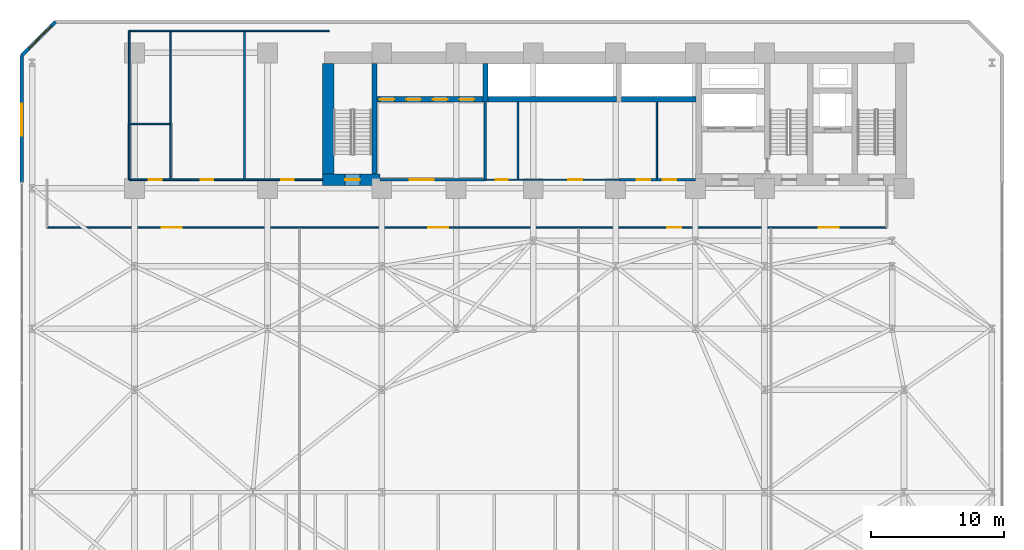
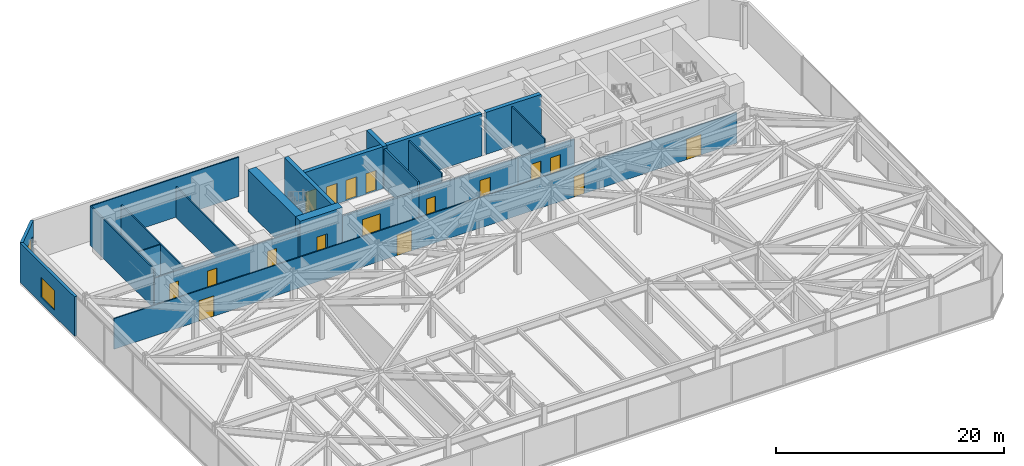
# One storey, part 25 of 28: 22 walls, 17 doors, 2 windows, 19 openings.
"""IFC4 building model written with IfcOpenShell, lengths in metres."""

from ifc_helpers import new_model, si_unit, direction, frame, frame_2d, origin, place, context, subcontext, project, spatial, rectangle, extrude, material, layer, layer_set, type_object, element, fill, save


model = new_model("IFC4")

# Units and contexts
model_context = context("Model", 3, precision=1e-05, world=origin(), true_north=direction((0.0, 1.0)))
body_context = subcontext(model_context, "Body", "Model", "MODEL_VIEW")
ifc_project = project(units=[si_unit("LENGTHUNIT", "METRE"), si_unit("AREAUNIT", "SQUARE_METRE"), si_unit("VOLUMEUNIT", "CUBIC_METRE"), si_unit("PLANEANGLEUNIT", "RADIAN"), si_unit("MASSUNIT", "GRAM", prefix="KILO")], contexts=[model_context])

# Site, building, storey
site_placement = place(None, origin())
site = spatial("IfcSite", under=ifc_project, at=site_placement, CompositionType="ELEMENT")
building_placement = place(site_placement, origin())
building = spatial("IfcBuilding", under=site, at=building_placement, Name="Kravanh Interchange Tower", CompositionType="ELEMENT")
storey_placement = place(building_placement, frame((0.0, 0.0, 15.300048828125)))
storey = spatial("IfcBuildingStorey", under=building, at=storey_placement, Name="L03", CompositionType="ELEMENT", Elevation=15.300048828125)

# Walls
ifc_material_1 = material(Name="Double Acoustic Gypsum Board and Mineral Wool")
ifc_layer_1 = layer(ifc_material_1, 0.1201171875)
ifc_layer_set_1 = layer_set([ifc_layer_1], Name="Acoustic Office Drywall Partition 120mm")
wall_type_1 = type_object("IfcWallType", Name="Acoustic Office Drywall Partition 120mm", PredefinedType="PARTITIONING", material=ifc_layer_set_1)
for number, where, z_axis, x_axis, name in (
    (1, (47.89990234375, 38.068115234375, 0.0), (0.0, 0.0, 1.0), (0.0, 1.0, 0.0), "L03 Interior Partition 2"),
    (2, (37.449951171875, 38.068115234375, 0.0), (0.0, 0.0, 1.0), (0.0, 1.0, 0.0), "L03 Interior Partition 6"),
):
    element("IfcWall", number, at=place(storey_placement, frame(where, z_axis=z_axis, x_axis=x_axis)), inside=storey, type_object=wall_type_1, Name=name, PredefinedType="PARTITIONING", context=body_context, shape_type="SweptSolid", body=[
        extrude(rectangle(XDim=5.77392578125, YDim=0.1201171875, at=frame_2d((2.886962890625, 0.0))), origin(), (0.0, 0.0, 1.0), 4.22998046875),
    ])

# Wall, openings, doors
wall_1_placement = place(storey_placement, frame((2.0, 34.39990234375, 0.0), z_axis=(0.0, 0.0, 1.0), x_axis=(1.0, 0.0, 0.0)))
wall_1 = element("IfcWall", 3, at=wall_1_placement, inside=storey, type_object=wall_type_1, Name="L03 Interior Partition 7", PredefinedType="PARTITIONING", context=body_context, shape_type="SweptSolid", body=[
    extrude(rectangle(XDim=63.199951171875, YDim=0.1201171875, at=frame_2d((31.60009765625, 0.0))), origin(), (0.0, 0.0, 1.0), 3.281982421875),
])
opening_1_placement = place(wall_1_placement, frame((8.634765625, 0.0, 0.0)))
opening_1 = element("IfcOpeningElement", 4, at=opening_1_placement, cuts=wall_1, Name="Opening DBL-150", PredefinedType="OPENING", context=body_context, shape_type="SweptSolid", body=[
    extrude(rectangle(XDim=1.5, YDim=2.199951171875, at=frame_2d((0.75, 1.10009765625))), frame((0.0, 0.070068359375, 0.0), z_axis=(0.0, -1.0, 0.0), x_axis=(1.0, 0.0, 0.0)), (0.0, 0.0, 1.0), 0.14013671875),
])
opening_2_placement = place(wall_1_placement, frame((28.7099609375, 0.0, 0.0)))
opening_2 = element("IfcOpeningElement", 5, at=opening_2_placement, cuts=wall_1, Name="Opening DBL-150", PredefinedType="OPENING", context=body_context, shape_type="SweptSolid", body=[
    extrude(rectangle(XDim=1.5, YDim=2.199951171875, at=frame_2d((0.75, 1.10009765625))), frame((0.0, 0.070068359375, 0.0), z_axis=(0.0, -1.0, 0.0), x_axis=(1.0, 0.0, 0.0)), (0.0, 0.0, 1.0), 0.14013671875),
])
opening_3_placement = place(wall_1_placement, frame((46.684814453125, 0.0, 0.0)))
opening_3 = element("IfcOpeningElement", 6, at=opening_3_placement, cuts=wall_1, Name="Opening D-105", PredefinedType="OPENING", context=body_context, shape_type="SweptSolid", body=[
    extrude(rectangle(XDim=1.050048828125, YDim=2.199951171875, at=frame_2d((0.52490234375, 1.10009765625))), frame((0.0, 0.070068359375, 0.0), z_axis=(0.0, -1.0, 0.0), x_axis=(1.0, 0.0, 0.0)), (0.0, 0.0, 1.0), 0.14013671875),
])
opening_4_placement = place(wall_1_placement, frame((58.084716796875, 0.0, 0.0)))
opening_4 = element("IfcOpeningElement", 7, at=opening_4_placement, cuts=wall_1, Name="Opening DBL-150", PredefinedType="OPENING", context=body_context, shape_type="SweptSolid", body=[
    extrude(rectangle(XDim=1.5, YDim=2.199951171875, at=frame_2d((0.75, 1.10009765625))), frame((0.0, 0.070068359375, 0.0), z_axis=(0.0, -1.0, 0.0), x_axis=(1.0, 0.0, 0.0)), (0.0, 0.0, 1.0), 0.14013671875),
])
ifc_material_2 = material(Name="Acoustic Timber and Toughened Glass", Category="wood")
door_type_1 = type_object("IfcDoorType", Name="Conference Hall Double Door 1500x2200", OperationType="DOUBLE_DOOR_SINGLE_SWING", PredefinedType="DOOR", material=ifc_material_2)
door_1_placement = place(opening_1_placement, origin())
door_1 = element("IfcDoor", 8, at=door_1_placement, inside=storey, type_object=door_type_1, Name="L03 Urban Exhibition Hall Door", OperationType="DOUBLE_DOOR_SINGLE_SWING", OverallHeight=2.199951171875, OverallWidth=1.5, PredefinedType="DOOR", context=body_context, shape_type="SweptSolid", body=[
    extrude(rectangle(XDim=1.5, YDim=2.199951171875, at=frame_2d((0.75, 1.10009765625))), frame((0.0, 0.02490234375, 0.0), z_axis=(0.0, -1.0, 0.0), x_axis=(1.0, 0.0, 0.0)), (0.0, 0.0, 1.0), 0.050048828125),
])
fill(opening_1, door_1)
door_2_placement = place(opening_2_placement, origin())
door_2 = element("IfcDoor", 9, at=door_2_placement, inside=storey, type_object=door_type_1, Name="L03 Co-Working Innovation Studio Door", OperationType="DOUBLE_DOOR_SINGLE_SWING", OverallHeight=2.199951171875, OverallWidth=1.5, PredefinedType="DOOR", context=body_context, shape_type="SweptSolid", body=[
    extrude(rectangle(XDim=1.5, YDim=2.199951171875, at=frame_2d((0.75, 1.10009765625))), frame((0.0, 0.02490234375, 0.0), z_axis=(0.0, -1.0, 0.0), x_axis=(1.0, 0.0, 0.0)), (0.0, 0.0, 1.0), 0.050048828125),
])
fill(opening_2, door_2)
door_3_placement = place(opening_4_placement, origin())
door_3 = element("IfcDoor", 10, at=door_3_placement, inside=storey, type_object=door_type_1, Name="L03 Design Fabrication Lab Door", OperationType="DOUBLE_DOOR_SINGLE_SWING", OverallHeight=2.199951171875, OverallWidth=1.5, PredefinedType="DOOR", context=body_context, shape_type="SweptSolid", body=[
    extrude(rectangle(XDim=1.5, YDim=2.199951171875, at=frame_2d((0.75, 1.10009765625))), frame((0.0, 0.02490234375, 0.0), z_axis=(0.0, -1.0, 0.0), x_axis=(1.0, 0.0, 0.0)), (0.0, 0.0, 1.0), 0.050048828125),
])
fill(opening_4, door_3)
ifc_material_3 = material(Name="Acoustic Glazed Oak and Aluminium", Category="aluminium")
door_type_2 = type_object("IfcDoorType", Name="Office Workplace Door 1050x2200", OperationType="NOTDEFINED", PredefinedType="DOOR", material=ifc_material_3)
door_4_placement = place(opening_3_placement, origin())
door_4 = element("IfcDoor", 11, at=door_4_placement, inside=storey, type_object=door_type_2, Name="L03 Civic Design Retail Gallery Door", OperationType="SINGLE_SWING_RIGHT", OverallHeight=2.199951171875, OverallWidth=1.050048828125, PredefinedType="DOOR", context=body_context, shape_type="SweptSolid", body=[
    extrude(rectangle(XDim=1.050048828125, YDim=2.199951171875, at=frame_2d((0.52490234375, 1.10009765625))), frame((0.0, 0.02490234375, 0.0), z_axis=(0.0, -1.0, 0.0), x_axis=(1.0, 0.0, 0.0)), (0.0, 0.0, 1.0), 0.050048828125),
])
fill(opening_3, door_4)

wall_2_placement = place(storey_placement, frame((8.199951171875, 38.0, 0.0), z_axis=(0.0, 0.0, 1.0), x_axis=(1.0, 0.0, 0.0)))
wall_2 = element("IfcWall", 12, at=wall_2_placement, inside=storey, type_object=wall_type_1, Name="L03 Restroom Corridor Wall 10", PredefinedType="PARTITIONING", context=body_context, shape_type="SweptSolid", body=[
    extrude(rectangle(XDim=14.550048828125, YDim=0.1201171875, at=frame_2d((7.27490234375, 0.0))), origin(), (0.0, 0.0, 1.0), 3.281982421875),
])
opening_5_placement = place(wall_2_placement, frame((1.481689453125, 0.0, 0.0)))
opening_5 = element("IfcOpeningElement", 13, at=opening_5_placement, cuts=wall_2, Name="Opening D-95", PredefinedType="OPENING", context=body_context, shape_type="SweptSolid", body=[
    extrude(rectangle(XDim=0.949951171875, YDim=2.14990234375, at=frame_2d((0.47509765625, 1.074951171875))), frame((0.0, 0.070068359375, 0.0), z_axis=(0.0, -1.0, 0.0), x_axis=(1.0, 0.0, 0.0)), (0.0, 0.0, 1.0), 0.14013671875),
])
opening_6_placement = place(wall_2_placement, frame((5.369873046875, 0.0, 0.0)))
opening_6 = element("IfcOpeningElement", 14, at=opening_6_placement, cuts=wall_2, Name="Opening D-95", PredefinedType="OPENING", context=body_context, shape_type="SweptSolid", body=[
    extrude(rectangle(XDim=0.949951171875, YDim=2.14990234375, at=frame_2d((0.47509765625, 1.074951171875))), frame((0.0, 0.070068359375, 0.0), z_axis=(0.0, -1.0, 0.0), x_axis=(1.0, 0.0, 0.0)), (0.0, 0.0, 1.0), 0.14013671875),
])
opening_7_placement = place(wall_2_placement, frame((11.436767578125, 0.0, 0.0)))
opening_7 = element("IfcOpeningElement", 15, at=opening_7_placement, cuts=wall_2, Name="Opening D-95", PredefinedType="OPENING", context=body_context, shape_type="SweptSolid", body=[
    extrude(rectangle(XDim=0.949951171875, YDim=2.14990234375, at=frame_2d((0.47509765625, 1.074951171875))), frame((0.0, 0.070068359375, 0.0), z_axis=(0.0, -1.0, 0.0), x_axis=(1.0, 0.0, 0.0)), (0.0, 0.0, 1.0), 0.14013671875),
])
ifc_material_4 = material(Name="Laminate Solid-Core Timber", Category="wood")
door_type_3 = type_object("IfcDoorType", Name="Accessible Restroom Door 950x2150", OperationType="NOTDEFINED", PredefinedType="DOOR", material=ifc_material_4)
door_5_placement = place(opening_5_placement, origin())
door_5 = element("IfcDoor", 16, at=door_5_placement, inside=storey, type_object=door_type_3, Name="L03 Accessible WC Door", OperationType="SINGLE_SWING_LEFT", OverallHeight=2.14990234375, OverallWidth=0.949951171875, PredefinedType="DOOR", context=body_context, shape_type="SweptSolid", body=[
    extrude(rectangle(XDim=0.949951171875, YDim=2.14990234375, at=frame_2d((0.47509765625, 1.074951171875))), frame((0.0, 0.02490234375, 0.0), z_axis=(0.0, -1.0, 0.0), x_axis=(1.0, 0.0, 0.0)), (0.0, 0.0, 1.0), 0.050048828125),
])
fill(opening_5, door_5)
door_6_placement = place(opening_6_placement, origin())
door_6 = element("IfcDoor", 17, at=door_6_placement, inside=storey, type_object=door_type_3, Name="L03 Female WC Door", OperationType="SINGLE_SWING_RIGHT", OverallHeight=2.14990234375, OverallWidth=0.949951171875, PredefinedType="DOOR", context=body_context, shape_type="SweptSolid", body=[
    extrude(rectangle(XDim=0.949951171875, YDim=2.14990234375, at=frame_2d((0.47509765625, 1.074951171875))), frame((0.0, 0.02490234375, 0.0), z_axis=(0.0, -1.0, 0.0), x_axis=(1.0, 0.0, 0.0)), (0.0, 0.0, 1.0), 0.050048828125),
])
fill(opening_6, door_6)
door_7_placement = place(opening_7_placement, origin())
door_7 = element("IfcDoor", 18, at=door_7_placement, inside=storey, type_object=door_type_3, Name="L03 Male WC Door", OperationType="SINGLE_SWING_LEFT", OverallHeight=2.14990234375, OverallWidth=0.949951171875, PredefinedType="DOOR", context=body_context, shape_type="SweptSolid", body=[
    extrude(rectangle(XDim=0.949951171875, YDim=2.14990234375, at=frame_2d((0.47509765625, 1.074951171875))), frame((0.0, 0.02490234375, 0.0), z_axis=(0.0, -1.0, 0.0), x_axis=(1.0, 0.0, 0.0)), (0.0, 0.0, 1.0), 0.050048828125),
])
fill(opening_7, door_7)

# Walls
wall_3_placement = place(storey_placement, frame((8.199951171875, 38.0, 0.0), z_axis=(0.0, 0.0, 1.0), x_axis=(0.0, 1.0, 0.0)))
element("IfcWall", 19, at=wall_3_placement, inside=storey, type_object=wall_type_1, Name="L03 Restroom West Enclosure 11", PredefinedType="PARTITIONING", context=body_context, shape_type="SweptSolid", body=[
    extrude(rectangle(XDim=11.199951171875, YDim=0.1201171875, at=frame_2d((5.60009765625, 0.0))), origin(), (0.0, 0.0, 1.0), 4.22998046875),
])
wall_4_placement = place(storey_placement, frame((8.199951171875, 49.199951171875, 0.0), z_axis=(0.0, 0.0, 1.0), x_axis=(1.0, 0.0, 0.0)))
element("IfcWall", 20, at=wall_4_placement, inside=storey, type_object=wall_type_1, Name="L03 Restroom North Enclosure 12", PredefinedType="PARTITIONING", context=body_context, shape_type="SweptSolid", body=[
    extrude(rectangle(XDim=15.050048828125, YDim=0.1201171875, at=frame_2d((7.52490234375, 0.0))), origin(), (0.0, 0.0, 1.0), 4.22998046875),
])
for number, where, z_axis, x_axis, name in (
    (21, (11.300048828125, 38.068115234375, 0.0), (0.0, 0.0, 1.0), (0.0, 1.0, 0.0), "L03 Interior Partition 13"),
    (22, (16.8701171875, 38.068115234375, 0.0), (0.0, 0.0, 1.0), (0.0, 1.0, 0.0), "L03 Interior Partition 14"),
):
    element("IfcWall", number, at=place(storey_placement, frame(where, z_axis=z_axis, x_axis=x_axis)), inside=storey, type_object=wall_type_1, Name=name, PredefinedType="PARTITIONING", context=body_context, shape_type="SweptSolid", body=[
        extrude(rectangle(XDim=11.06396484375, YDim=0.1201171875, at=frame_2d((5.531982421875, 0.0))), origin(), (0.0, 0.0, 1.0), 3.281982421875),
    ])
wall_5_placement = place(storey_placement, frame((8.26806640625, 42.199951171875, 0.0), z_axis=(0.0, 0.0, 1.0), x_axis=(1.0, 0.0, 0.0)))
element("IfcWall", 23, at=wall_5_placement, inside=storey, type_object=wall_type_1, Name="L03 Interior Partition 15", PredefinedType="PARTITIONING", context=body_context, shape_type="SweptSolid", body=[
    extrude(rectangle(XDim=2.9638671875, YDim=0.1201171875, at=frame_2d((1.48193359375, 0.0))), origin(), (0.0, 0.0, 1.0), 3.281982421875),
])
ifc_material_5 = material(Name="Concrete C80/95", Category="concrete")
ifc_layer_2 = layer(ifc_material_5, 0.39990234375)
ifc_layer_set_2 = layer_set([ifc_layer_2], Name="Core Shear Wall Concrete C80/95 400mm")
wall_type_2 = type_object("IfcWallType", Name="Core Shear Wall Concrete C80/95 400mm", PredefinedType="SHEAR", material=ifc_layer_set_2)
wall_6_placement = place(storey_placement, frame((45.25, 44.050048828125, 0.0), z_axis=(0.0, 0.0, 1.0), x_axis=(1.0, 0.0, 0.0)))
element("IfcWall", 24, at=wall_6_placement, inside=storey, type_object=wall_type_2, Name="L03 High-Rise Lift Shaft South Wall", PredefinedType="SHEAR", context=body_context, shape_type="SweptSolid", body=[
    extrude(rectangle(XDim=5.60009765625, YDim=0.39990234375, at=frame_2d((2.800048828125, 0.0))), origin(), (0.0, 0.0, 1.0), 4.5),
])
wall_7_placement = place(storey_placement, frame((35.199951171875, 44.050048828125, 0.0), z_axis=(0.0, 0.0, 1.0), x_axis=(1.0, 0.0, 0.0)))
element("IfcWall", 25, at=wall_7_placement, inside=storey, type_object=wall_type_2, Name="L03 Mid-Rise Lift Shaft South Wall", PredefinedType="SHEAR", context=body_context, shape_type="SweptSolid", body=[
    extrude(rectangle(XDim=9.650146484375, YDim=0.39990234375, at=frame_2d((4.8251953125, 0.0))), origin(), (0.0, 0.0, 1.0), 4.5),
])
wall_8_placement = place(storey_placement, frame((35.0, 43.85009765625, 0.0), z_axis=(0.0, 0.0, 1.0), x_axis=(0.0, 1.0, 0.0)))
element("IfcWall", 26, at=wall_8_placement, inside=storey, type_object=wall_type_2, Name="L03 Mid-Rise Lift Shaft West Wall", PredefinedType="SHEAR", context=body_context, shape_type="SweptSolid", body=[
    extrude(rectangle(XDim=2.89990234375, YDim=0.39990234375, at=frame_2d((1.449951171875, 0.0))), origin(), (0.0, 0.0, 1.0), 4.5),
])

# Wall, openings, doors
wall_9_placement = place(storey_placement, frame((26.85009765625, 44.050048828125, 0.0), z_axis=(0.0, 0.0, 1.0), x_axis=(1.0, 0.0, 0.0)))
wall_9 = element("IfcWall", 27, at=wall_9_placement, inside=storey, type_object=wall_type_2, Name="L03 Low-Rise Lift Shaft South Wall", PredefinedType="SHEAR", context=body_context, shape_type="SweptSolid", body=[
    extrude(rectangle(XDim=7.949951171875, YDim=0.39990234375, at=frame_2d((3.97509765625, 0.0))), origin(), (0.0, 0.0, 1.0), 4.5),
])
opening_8_placement = place(wall_9_placement, frame((0.199951171875, 0.0, 0.0)))
opening_8 = element("IfcOpeningElement", 28, at=opening_8_placement, cuts=wall_9, Name="Opening LD01", PredefinedType="OPENING", context=body_context, shape_type="SweptSolid", body=[
    extrude(rectangle(XDim=1.10009765625, YDim=2.199951171875, at=frame_2d((0.550048828125, 1.10009765625))), frame((0.0, 0.2099609375, 0.0), z_axis=(0.0, -1.0, 0.0), x_axis=(1.0, 0.0, 0.0)), (0.0, 0.0, 1.0), 0.419921875),
])
opening_9_placement = place(wall_9_placement, frame((2.199951171875, 0.0, 0.0)))
opening_9 = element("IfcOpeningElement", 29, at=opening_9_placement, cuts=wall_9, Name="Opening LD01", PredefinedType="OPENING", context=body_context, shape_type="SweptSolid", body=[
    extrude(rectangle(XDim=1.10009765625, YDim=2.199951171875, at=frame_2d((0.550048828125, 1.10009765625))), frame((0.0, 0.2099609375, 0.0), z_axis=(0.0, -1.0, 0.0), x_axis=(1.0, 0.0, 0.0)), (0.0, 0.0, 1.0), 0.419921875),
])
opening_10_placement = place(wall_9_placement, frame((4.199951171875, 0.0, 0.0)))
opening_10 = element("IfcOpeningElement", 30, at=opening_10_placement, cuts=wall_9, Name="Opening LD01", PredefinedType="OPENING", context=body_context, shape_type="SweptSolid", body=[
    extrude(rectangle(XDim=1.10009765625, YDim=2.199951171875, at=frame_2d((0.550048828125, 1.10009765625))), frame((0.0, 0.2099609375, 0.0), z_axis=(0.0, -1.0, 0.0), x_axis=(1.0, 0.0, 0.0)), (0.0, 0.0, 1.0), 0.419921875),
])
opening_11_placement = place(wall_9_placement, frame((6.199951171875, 0.0, 0.0)))
opening_11 = element("IfcOpeningElement", 31, at=opening_11_placement, cuts=wall_9, Name="Opening LD01", PredefinedType="OPENING", context=body_context, shape_type="SweptSolid", body=[
    extrude(rectangle(XDim=1.10009765625, YDim=2.199951171875, at=frame_2d((0.550048828125, 1.10009765625))), frame((0.0, 0.2099609375, 0.0), z_axis=(0.0, -1.0, 0.0), x_axis=(1.0, 0.0, 0.0)), (0.0, 0.0, 1.0), 0.419921875),
])
ifc_material_6 = material(Name="Stainless Steel 304", Category="steel")
door_type_4 = type_object("IfcDoorType", Name="Passenger Lift Sliding Landing Door 1100x2200", OperationType="DOUBLE_DOOR_SLIDING", PredefinedType="DOOR", material=ifc_material_6)
door_8_placement = place(opening_8_placement, origin())
door_8 = element("IfcDoor", 32, at=door_8_placement, inside=storey, type_object=door_type_4, Name="L03 Lift LP-L1 Landing Door", OperationType="DOUBLE_DOOR_SLIDING", OverallHeight=2.199951171875, OverallWidth=1.10009765625, PredefinedType="DOOR", context=body_context, shape_type="SweptSolid", body=[
    extrude(rectangle(XDim=1.10009765625, YDim=2.199951171875, at=frame_2d((0.550048828125, 1.10009765625))), frame((0.0, 0.02490234375, 0.0), z_axis=(0.0, -1.0, 0.0), x_axis=(1.0, 0.0, 0.0)), (0.0, 0.0, 1.0), 0.050048828125),
])
fill(opening_8, door_8)
door_9_placement = place(opening_9_placement, origin())
door_9 = element("IfcDoor", 33, at=door_9_placement, inside=storey, type_object=door_type_4, Name="L03 Lift LP-L2 Landing Door", OperationType="DOUBLE_DOOR_SLIDING", OverallHeight=2.199951171875, OverallWidth=1.10009765625, PredefinedType="DOOR", context=body_context, shape_type="SweptSolid", body=[
    extrude(rectangle(XDim=1.10009765625, YDim=2.199951171875, at=frame_2d((0.550048828125, 1.10009765625))), frame((0.0, 0.02490234375, 0.0), z_axis=(0.0, -1.0, 0.0), x_axis=(1.0, 0.0, 0.0)), (0.0, 0.0, 1.0), 0.050048828125),
])
fill(opening_9, door_9)
door_10_placement = place(opening_10_placement, origin())
door_10 = element("IfcDoor", 34, at=door_10_placement, inside=storey, type_object=door_type_4, Name="L03 Lift LP-L3 Landing Door", OperationType="DOUBLE_DOOR_SLIDING", OverallHeight=2.199951171875, OverallWidth=1.10009765625, PredefinedType="DOOR", context=body_context, shape_type="SweptSolid", body=[
    extrude(rectangle(XDim=1.10009765625, YDim=2.199951171875, at=frame_2d((0.550048828125, 1.10009765625))), frame((0.0, 0.02490234375, 0.0), z_axis=(0.0, -1.0, 0.0), x_axis=(1.0, 0.0, 0.0)), (0.0, 0.0, 1.0), 0.050048828125),
])
fill(opening_10, door_10)
door_11_placement = place(opening_11_placement, origin())
door_11 = element("IfcDoor", 35, at=door_11_placement, inside=storey, type_object=door_type_4, Name="L03 Lift LP-L4 Landing Door", OperationType="DOUBLE_DOOR_SLIDING", OverallHeight=2.199951171875, OverallWidth=1.10009765625, PredefinedType="DOOR", context=body_context, shape_type="SweptSolid", body=[
    extrude(rectangle(XDim=1.10009765625, YDim=2.199951171875, at=frame_2d((0.550048828125, 1.10009765625))), frame((0.0, 0.02490234375, 0.0), z_axis=(0.0, -1.0, 0.0), x_axis=(1.0, 0.0, 0.0)), (0.0, 0.0, 1.0), 0.050048828125),
])
fill(opening_11, door_11)

# Wall
wall_10_placement = place(storey_placement, frame((26.64990234375, 38.425048828125, 0.0), z_axis=(0.0, 0.0, 1.0), x_axis=(0.0, 1.0, 0.0)))
element("IfcWall", 36, at=wall_10_placement, inside=storey, type_object=wall_type_2, Name="L03 Stair ST3 East Shear Wall", PredefinedType="SHEAR", context=body_context, shape_type="SweptSolid", body=[
    extrude(rectangle(XDim=8.324951171875, YDim=0.39990234375, at=frame_2d((4.16259765625, 0.0))), origin(), (0.0, 0.0, 1.0), 4.5),
])

# Wall, opening, door
ifc_material_7 = material(Name="Concrete C80/95", Category="concrete")
ifc_layer_3 = layer(ifc_material_7, 0.85009765625)
ifc_layer_set_3 = layer_set([ifc_layer_3], Name="Core Shear Wall Concrete C80/95 850mm")
wall_type_3 = type_object("IfcWallType", Name="Core Shear Wall Concrete C80/95 850mm", PredefinedType="SHEAR", material=ifc_layer_set_3)
wall_11_placement = place(storey_placement, frame((22.75, 38.0, 0.0), z_axis=(0.0, 0.0, 1.0), x_axis=(1.0, 0.0, 0.0)))
wall_11 = element("IfcWall", 37, at=wall_11_placement, inside=storey, type_object=wall_type_3, Name="L03 Stair ST3 South Shear Wall", PredefinedType="SHEAR", context=body_context, shape_type="SweptSolid", body=[
    extrude(rectangle(XDim=4.300048828125, YDim=0.85009765625, at=frame_2d((2.14990234375, 0.0))), origin(), (0.0, 0.0, 1.0), 4.5),
])
opening_12_placement = place(wall_11_placement, frame((1.699951171875, 0.0, 0.0)))
opening_12 = element("IfcOpeningElement", 38, at=opening_12_placement, cuts=wall_11, Name="Opening D-STAIR-110", PredefinedType="OPENING", context=body_context, shape_type="SweptSolid", body=[
    extrude(rectangle(XDim=1.10009765625, YDim=2.199951171875, at=frame_2d((0.550048828125, 1.10009765625))), frame((0.0, 0.43505859375, 0.0), z_axis=(0.0, -1.0, 0.0), x_axis=(1.0, 0.0, 0.0)), (0.0, 0.0, 1.0), 0.8701171875),
])
ifc_material_8 = material(Name="Structural Steel S355", Category="steel")
door_type_5 = type_object("IfcDoorType", Name="Fire-Rated Exit Stair Door 1100x2200", OperationType="NOTDEFINED", PredefinedType="DOOR", material=ifc_material_8)
door_12_placement = place(opening_12_placement, origin())
door_12 = element("IfcDoor", 39, at=door_12_placement, inside=storey, type_object=door_type_5, Name="L03 Exit Stair ST3 Door", OperationType="SINGLE_SWING_RIGHT", OverallHeight=2.199951171875, OverallWidth=1.10009765625, PredefinedType="DOOR", context=body_context, shape_type="SweptSolid", body=[
    extrude(rectangle(XDim=1.10009765625, YDim=2.199951171875, at=frame_2d((0.550048828125, 1.10009765625))), frame((0.0, 0.02490234375, 0.0), z_axis=(0.0, -1.0, 0.0), x_axis=(1.0, 0.0, 0.0)), (0.0, 0.0, 1.0), 0.050048828125),
])
fill(opening_12, door_12)

# Wall
wall_12_placement = place(storey_placement, frame((23.175048828125, 38.425048828125, 0.0), z_axis=(0.0, 0.0, 1.0), x_axis=(0.0, 1.0, 0.0)))
element("IfcWall", 40, at=wall_12_placement, inside=storey, type_object=wall_type_3, Name="L03 Stair ST3 West Shear Wall", PredefinedType="SHEAR", context=body_context, shape_type="SweptSolid", body=[
    extrude(rectangle(XDim=8.324951171875, YDim=0.85009765625, at=frame_2d((4.16259765625, 0.0))), origin(), (0.0, 0.0, 1.0), 4.5),
])

# Wall, opening, window
ifc_material_9 = material(Name="Insulated Precast Concrete C40/50 with Bronze Cladding", Category="concrete")
ifc_layer_4 = layer(ifc_material_9, 0.280029296875)
ifc_layer_set_4 = layer_set([ifc_layer_4], Name="Exterior Insulated Concrete C40/50 Bronze Spandrel Wall 280mm")
wall_type_4 = type_object("IfcWallType", Name="Exterior Insulated Concrete C40/50 Bronze Spandrel Wall 280mm", PredefinedType="STANDARD", material=ifc_layer_set_4)
wall_13_placement = place(storey_placement, frame((0.1201171875, 37.800048828125, 0.0), z_axis=(0.0, 0.0, 1.0), x_axis=(0.0, 1.0, 0.0)))
wall_13 = element("IfcWall", 41, at=wall_13_placement, inside=storey, type_object=wall_type_4, Name="L03 Exterior Wall 1", PredefinedType="STANDARD", context=body_context, shape_type="SweptSolid", body=[
    extrude(rectangle(XDim=9.55029296875, YDim=0.280029296875, at=frame_2d((4.775146484375, 0.0))), origin(), (0.0, 0.0, 1.0), 4.22998046875),
])
opening_13_placement = place(wall_13_placement, frame((3.5146484375, 0.0, 0.64990234375)))
opening_13 = element("IfcOpeningElement", 42, at=opening_13_placement, cuts=wall_13, Name="Opening WN-240X210", PredefinedType="OPENING", context=body_context, shape_type="SweptSolid", body=[
    extrude(rectangle(XDim=2.39990234375, YDim=2.10009765625, at=frame_2d((1.199951171875, 1.050048828125))), frame((0.0, 0.14990234375, 0.0), z_axis=(0.0, -1.0, 0.0), x_axis=(1.0, 0.0, 0.0)), (0.0, 0.0, 1.0), 0.300048828125),
])
ifc_material_10 = material(Name="Thermally Broken Bronze Aluminium and Low-E Glass", Category="aluminium")
window_type = type_object("IfcWindowType", Name="Podium Punched Window 2400x2100", PartitioningType="SINGLE_PANEL", PredefinedType="WINDOW", material=ifc_material_10)
window_1_placement = place(opening_13_placement, origin())
window_1 = element("IfcWindow", 43, at=window_1_placement, inside=storey, type_object=window_type, Name="L03 Corner Window 1", OverallHeight=2.10009765625, OverallWidth=2.39990234375, PartitioningType="SINGLE_PANEL", PredefinedType="WINDOW", context=body_context, shape_type="SweptSolid", body=[
    extrude(rectangle(XDim=2.39990234375, YDim=2.10009765625, at=frame_2d((1.199951171875, 1.050048828125))), frame((0.0, 0.030029296875, 0.0), z_axis=(0.0, -1.0, 0.0), x_axis=(1.0, 0.0, 0.0)), (0.0, 0.0, 1.0), 0.06005859375),
])
fill(opening_13, window_1)

wall_14_placement = place(storey_placement, frame((0.1201171875, 47.350341796875, 0.0), z_axis=(0.0, 0.0, 1.0), x_axis=(0.707106781187, 0.707106781187, 0.0)))
wall_14 = element("IfcWall", 44, at=wall_14_placement, inside=storey, type_object=wall_type_4, Name="L03 Exterior Wall 2", PredefinedType="STANDARD", context=body_context, shape_type="SweptSolid", body=[
    extrude(rectangle(XDim=3.577392578125, YDim=0.280029296875, at=frame_2d((1.78857421875, 0.0))), origin(), (0.0, 0.0, 1.0), 4.22998046875),
])
opening_14_placement = place(wall_14_placement, frame((0.750732421875, 0.0, 0.64990234375)))
opening_14 = element("IfcOpeningElement", 45, at=opening_14_placement, cuts=wall_14, Name="Opening WN-240X210", PredefinedType="OPENING", context=body_context, shape_type="SweptSolid", body=[
    extrude(rectangle(XDim=2.39990234375, YDim=2.10009765625, at=frame_2d((1.199951171875, 1.050048828125))), frame((0.0, 0.14990234375, 0.0), z_axis=(0.0, -1.0, 0.0), x_axis=(1.0, 0.0, 0.0)), (0.0, 0.0, 1.0), 0.300048828125),
])
window_2_placement = place(opening_14_placement, origin())
window_2 = element("IfcWindow", 46, at=window_2_placement, inside=storey, type_object=window_type, Name="L03 Corner Window 2", OverallHeight=2.10009765625, OverallWidth=2.39990234375, PartitioningType="SINGLE_PANEL", PredefinedType="WINDOW", context=body_context, shape_type="SweptSolid", body=[
    extrude(rectangle(XDim=2.39990234375, YDim=2.10009765625, at=frame_2d((1.199951171875, 1.050048828125))), frame((0.0, 0.030029296875, 0.0), z_axis=(0.0, -1.0, 0.0), x_axis=(1.0, 0.0, 0.0)), (0.0, 0.0, 1.0), 0.06005859375),
])
fill(opening_14, window_2)

# Wall, openings, doors
ifc_material_11 = material(Name="Autoclaved Aerated Concrete C30/37 Blockwork", Category="masonry")
ifc_layer_5 = layer(ifc_material_11, 0.179931640625)
ifc_layer_set_5 = layer_set([ifc_layer_5], Name="Fire-Rated Lobby and Corridor Wall Concrete C30/37 180mm")
wall_type_5 = type_object("IfcWallType", Name="Fire-Rated Lobby and Corridor Wall Concrete C30/37 180mm", PredefinedType="STANDARD", material=ifc_layer_set_5)
wall_15_placement = place(storey_placement, frame((45.050048828125, 38.0, 0.0), z_axis=(0.0, 0.0, 1.0), x_axis=(1.0, 0.0, 0.0)))
wall_15 = element("IfcWall", 47, at=wall_15_placement, inside=storey, type_object=wall_type_5, Name="L03 Core South Enclosure 1", PredefinedType="STANDARD", context=body_context, shape_type="SweptSolid", body=[
    extrude(rectangle(XDim=5.75, YDim=0.179931640625, at=frame_2d((2.875, 0.0))), origin(), (0.0, 0.0, 1.0), 3.281982421875),
])
opening_15_placement = place(wall_15_placement, frame((1.35009765625, 0.0, 0.0)))
opening_15 = element("IfcOpeningElement", 48, at=opening_15_placement, cuts=wall_15, Name="Opening D-HOTEL-100", PredefinedType="OPENING", context=body_context, shape_type="SweptSolid", body=[
    extrude(rectangle(XDim=1.0, YDim=2.14990234375, at=frame_2d((0.5, 1.074951171875))), frame((0.0, 0.10009765625, 0.0), z_axis=(0.0, -1.0, 0.0), x_axis=(1.0, 0.0, 0.0)), (0.0, 0.0, 1.0), 0.199951171875),
])
opening_16_placement = place(wall_15_placement, frame((3.300048828125, 0.0, 0.0)))
opening_16 = element("IfcOpeningElement", 49, at=opening_16_placement, cuts=wall_15, Name="Opening D-HOTEL-100", PredefinedType="OPENING", context=body_context, shape_type="SweptSolid", body=[
    extrude(rectangle(XDim=1.0, YDim=2.14990234375, at=frame_2d((0.5, 1.074951171875))), frame((0.0, 0.10009765625, 0.0), z_axis=(0.0, -1.0, 0.0), x_axis=(1.0, 0.0, 0.0)), (0.0, 0.0, 1.0), 0.199951171875),
])
ifc_material_12 = material(Name="Fire-Rated Solid Timber Leaf", Category="wood")
door_type_6 = type_object("IfcDoorType", Name="Fire-Rated Suite Entrance Door 1000x2150", OperationType="NOTDEFINED", PredefinedType="DOOR", material=ifc_material_12)
door_13_placement = place(opening_15_placement, origin())
door_13 = element("IfcDoor", 50, at=door_13_placement, inside=storey, type_object=door_type_6, Name="L03 Core Switchroom Door", OperationType="SINGLE_SWING_LEFT", OverallHeight=2.14990234375, OverallWidth=1.0, PredefinedType="DOOR", context=body_context, shape_type="SweptSolid", body=[
    extrude(rectangle(XDim=1.0, YDim=2.14990234375, at=frame_2d((0.5, 1.074951171875))), frame((0.0, 0.02490234375, 0.0), z_axis=(0.0, -1.0, 0.0), x_axis=(1.0, 0.0, 0.0)), (0.0, 0.0, 1.0), 0.050048828125),
])
fill(opening_15, door_13)
door_14_placement = place(opening_16_placement, origin())
door_14 = element("IfcDoor", 51, at=door_14_placement, inside=storey, type_object=door_type_6, Name="L03 Core Archive Door", OperationType="SINGLE_SWING_RIGHT", OverallHeight=2.14990234375, OverallWidth=1.0, PredefinedType="DOOR", context=body_context, shape_type="SweptSolid", body=[
    extrude(rectangle(XDim=1.0, YDim=2.14990234375, at=frame_2d((0.5, 1.074951171875))), frame((0.0, 0.02490234375, 0.0), z_axis=(0.0, -1.0, 0.0), x_axis=(1.0, 0.0, 0.0)), (0.0, 0.0, 1.0), 0.050048828125),
])
fill(opening_16, door_14)

# Wall
wall_16_placement = place(storey_placement, frame((35.0, 38.0, 0.0), z_axis=(0.0, 0.0, 1.0), x_axis=(0.0, 1.0, 0.0)))
element("IfcWall", 52, at=wall_16_placement, inside=storey, type_object=wall_type_5, Name="L03 Low-Rise Lobby East Wall 3", PredefinedType="STANDARD", context=body_context, shape_type="SweptSolid", body=[
    extrude(rectangle(XDim=5.85009765625, YDim=0.179931640625, at=frame_2d((2.925048828125, 0.0))), origin(), (0.0, 0.0, 1.0), 4.22998046875),
])

# Wall, opening, door
wall_17_placement = place(storey_placement, frame((27.050048828125, 38.0, 0.0), z_axis=(0.0, 0.0, 1.0), x_axis=(1.0, 0.0, 0.0)))
wall_17 = element("IfcWall", 53, at=wall_17_placement, inside=storey, type_object=wall_type_5, Name="L03 Low-Rise Lobby South Wall 4", PredefinedType="STANDARD", context=body_context, shape_type="SweptSolid", body=[
    extrude(rectangle(XDim=7.949951171875, YDim=0.179931640625, at=frame_2d((3.97509765625, 0.0))), origin(), (0.0, 0.0, 1.0), 3.281982421875),
])
opening_17_placement = place(wall_17_placement, frame((2.25, 0.0, 0.0)))
opening_17 = element("IfcOpeningElement", 54, at=opening_17_placement, cuts=wall_17, Name="Opening DBL-180", PredefinedType="OPENING", context=body_context, shape_type="SweptSolid", body=[
    extrude(rectangle(XDim=1.800048828125, YDim=2.199951171875, at=frame_2d((0.89990234375, 1.10009765625))), frame((0.0, 0.10009765625, 0.0), z_axis=(0.0, -1.0, 0.0), x_axis=(1.0, 0.0, 0.0)), (0.0, 0.0, 1.0), 0.199951171875),
])
ifc_material_13 = material(Name="Structural Steel S355", Category="steel")
door_type_7 = type_object("IfcDoorType", Name="Lift Lobby Double Fire Door 1800x2200", OperationType="DOUBLE_DOOR_SINGLE_SWING", PredefinedType="DOOR", material=ifc_material_13)
door_15_placement = place(opening_17_placement, origin())
door_15 = element("IfcDoor", 55, at=door_15_placement, inside=storey, type_object=door_type_7, Name="L03 Low-Rise Lift Lobby Door", OperationType="DOUBLE_DOOR_SINGLE_SWING", OverallHeight=2.199951171875, OverallWidth=1.800048828125, PredefinedType="DOOR", context=body_context, shape_type="SweptSolid", body=[
    extrude(rectangle(XDim=1.800048828125, YDim=2.199951171875, at=frame_2d((0.89990234375, 1.10009765625))), frame((0.0, 0.02490234375, 0.0), z_axis=(0.0, -1.0, 0.0), x_axis=(1.0, 0.0, 0.0)), (0.0, 0.0, 1.0), 0.050048828125),
])
fill(opening_17, door_15)

# Wall, openings, doors
ifc_material_14 = material(Name="Twin Stud Acoustic Gypsum Board Wall")
ifc_layer_6 = layer(ifc_material_14, 0.14990234375)
ifc_layer_set_6 = layer_set([ifc_layer_6], Name="Medium-Duty Acoustic Partition 150mm")
wall_type_6 = type_object("IfcWallType", Name="Medium-Duty Acoustic Partition 150mm", PredefinedType="PARTITIONING", material=ifc_layer_set_6)
wall_18_placement = place(storey_placement, frame((35.0, 38.0, 0.0), z_axis=(0.0, 0.0, 1.0), x_axis=(1.0, 0.0, 0.0)))
wall_18 = element("IfcWall", 56, at=wall_18_placement, inside=storey, type_object=wall_type_6, Name="L03 Core Support South Wall 5", PredefinedType="PARTITIONING", context=body_context, shape_type="SweptSolid", body=[
    extrude(rectangle(XDim=10.050048828125, YDim=0.14990234375, at=frame_2d((5.02490234375, 0.0))), origin(), (0.0, 0.0, 1.0), 3.281982421875),
])
opening_18_placement = place(wall_18_placement, frame((0.78466796875, 0.0, 0.0)))
opening_18 = element("IfcOpeningElement", 57, at=opening_18_placement, cuts=wall_18, Name="Opening D-90", PredefinedType="OPENING", context=body_context, shape_type="SweptSolid", body=[
    extrude(rectangle(XDim=0.89990234375, YDim=2.10009765625, at=frame_2d((0.449951171875, 1.050048828125))), frame((0.0, 0.0849609375, 0.0), z_axis=(0.0, -1.0, 0.0), x_axis=(1.0, 0.0, 0.0)), (0.0, 0.0, 1.0), 0.169921875),
])
opening_19_placement = place(wall_18_placement, frame((6.22509765625, 0.0, 0.0)))
opening_19 = element("IfcOpeningElement", 58, at=opening_19_placement, cuts=wall_18, Name="Opening D-105", PredefinedType="OPENING", context=body_context, shape_type="SweptSolid", body=[
    extrude(rectangle(XDim=1.050048828125, YDim=2.199951171875, at=frame_2d((0.52490234375, 1.10009765625))), frame((0.0, 0.0849609375, 0.0), z_axis=(0.0, -1.0, 0.0), x_axis=(1.0, 0.0, 0.0)), (0.0, 0.0, 1.0), 0.169921875),
])
door_16_placement = place(opening_19_placement, origin())
door_16 = element("IfcDoor", 59, at=door_16_placement, inside=storey, type_object=door_type_2, Name="L03 Tenant Pantry Door", OperationType="SINGLE_SWING_RIGHT", OverallHeight=2.199951171875, OverallWidth=1.050048828125, PredefinedType="DOOR", context=body_context, shape_type="SweptSolid", body=[
    extrude(rectangle(XDim=1.050048828125, YDim=2.199951171875, at=frame_2d((0.52490234375, 1.10009765625))), frame((0.0, 0.02490234375, 0.0), z_axis=(0.0, -1.0, 0.0), x_axis=(1.0, 0.0, 0.0)), (0.0, 0.0, 1.0), 0.050048828125),
])
fill(opening_19, door_16)
ifc_material_15 = material(Name="Painted Solid-Core Timber", Category="wood")
door_type_8 = type_object("IfcDoorType", Name="Service Room Door 900x2100", OperationType="NOTDEFINED", PredefinedType="DOOR", material=ifc_material_15)
door_17_placement = place(opening_18_placement, origin())
door_17 = element("IfcDoor", 60, at=door_17_placement, inside=storey, type_object=door_type_8, Name="L03 Riser Store Door", OperationType="SINGLE_SWING_LEFT", OverallHeight=2.10009765625, OverallWidth=0.89990234375, PredefinedType="DOOR", context=body_context, shape_type="SweptSolid", body=[
    extrude(rectangle(XDim=0.89990234375, YDim=2.10009765625, at=frame_2d((0.449951171875, 1.050048828125))), frame((0.0, 0.02490234375, 0.0), z_axis=(0.0, -1.0, 0.0), x_axis=(1.0, 0.0, 0.0)), (0.0, 0.0, 1.0), 0.050048828125),
])
fill(opening_18, door_17)

save(model, "model.ifc")
